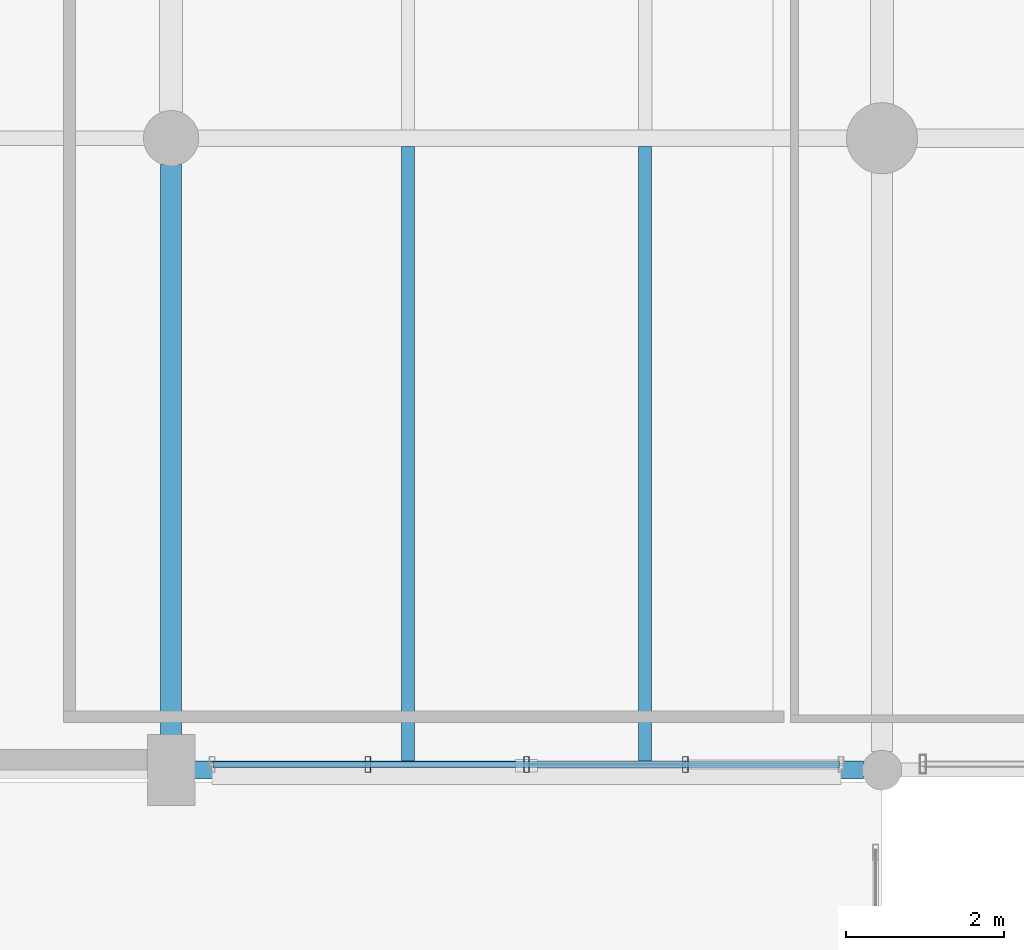
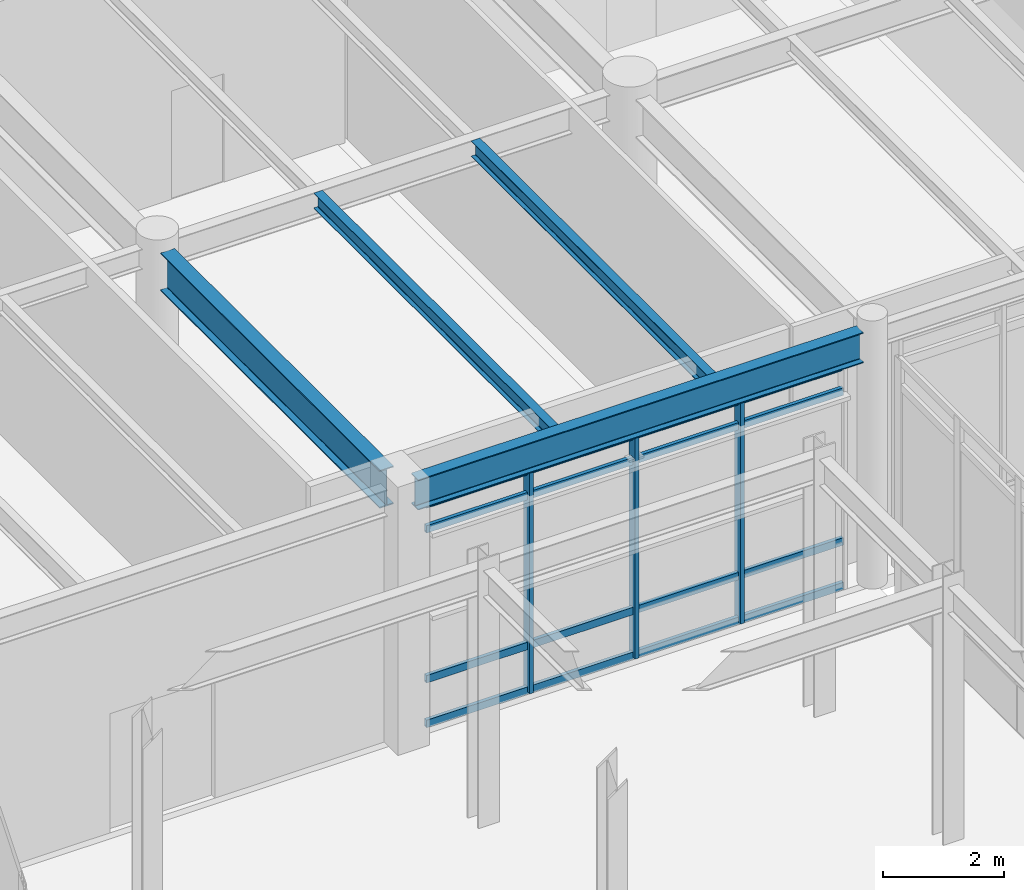
# One storey, part 89 of 203: 7 members, 4 beams, 1 element without a shape of its own.
"""IFC4 building model written with IfcOpenShell, lengths in metres."""

import ifcopenshell
import ifcopenshell.guid

model = None  # the IFC model being written
_history = None  # IfcOwnerHistory: only IFC2X3 demands one
_inside = {}  # id of a spatial element -> (the spatial element, [elements in it])
_under = {}  # id of a project, library or spatial element -> (it, [spatial elements below it])
_declared = {}  # id of a project -> (the project, [libraries it declares])
_typed = {}  # id of a type object -> (the type object, [elements of that type])
_made_of = {}  # id of a material, layer set ... -> (it, [elements and type objects made of it])


def new_model(schema):
    """Start an empty IFC model of exactly this schema.

    Asked for "IFC4X3", IfcOpenShell would pick the latest addendum, in which some entities
    have other attributes; the version numbers below select the first issue.
    IFC2X3 requires an IfcOwnerHistory on every rooted entity: one is made here for all.
    """
    global model, _history
    if schema == "IFC4X3":
        model = ifcopenshell.file(schema_version=(4, 3, 0, 0))
    else:
        model = ifcopenshell.file(schema=schema)
    _inside.clear()
    _under.clear()
    _declared.clear()
    _typed.clear()
    _made_of.clear()
    _history = None
    if model.schema == "IFC2X3":
        org = make("IfcOrganization", Name="unknown")
        user = make(
            "IfcPersonAndOrganization",
            ThePerson=make("IfcPerson", FamilyName="unknown"),
            TheOrganization=org,
        )
        app = make(
            "IfcApplication",
            ApplicationDeveloper=org,
            Version="unknown",
            ApplicationFullName="unknown",
            ApplicationIdentifier="unknown",
        )
        _history = make(
            "IfcOwnerHistory",
            OwningUser=user,
            OwningApplication=app,
            ChangeAction="ADDED",
            CreationDate=0,
        )
    return model


def make(cls, **values):
    """One entity of the class cls with the attributes given. An attribute that is None is left unset."""
    return model.create_entity(
        cls, **{name: value for name, value in values.items() if value is not None}
    )


def rooted(cls, **values):
    """An entity with a GlobalId (a new one), such as an element, a storey or a relation."""
    return make(cls, GlobalId=ifcopenshell.guid.new(), OwnerHistory=_history, **values)


def si_unit(unit_type, name, prefix=None):
    """IfcSIUnit, for example si_unit("LENGTHUNIT", "METRE", prefix="MILLI")."""
    return make("IfcSIUnit", UnitType=unit_type, Prefix=prefix, Name=name)


def assignment(units):
    """IfcUnitAssignment: the units of a project."""
    return None if units is None else make("IfcUnitAssignment", Units=units)


def point(xyz):
    """IfcCartesianPoint."""
    return None if xyz is None else make("IfcCartesianPoint", Coordinates=xyz)


def direction(xyz):
    """IfcDirection."""
    return None if xyz is None else make("IfcDirection", DirectionRatios=xyz)


def frame(location, z_axis=None, x_axis=None):
    """IfcAxis2Placement3D, a coordinate frame: its origin and axes. An axis left out is left unset."""
    return make(
        "IfcAxis2Placement3D",
        Location=point(location),
        Axis=direction(z_axis),
        RefDirection=direction(x_axis),
    )


def frame_2d(location, x_axis=None):
    """IfcAxis2Placement2D, a coordinate frame in the plane: its origin and x axis."""
    return make(
        "IfcAxis2Placement2D", Location=point(location), RefDirection=direction(x_axis)
    )


def origin():
    """The frame at (0, 0, 0) with its axes left unset."""
    return frame((0.0, 0.0, 0.0))


def origin_2d():
    """The frame at (0, 0) in the plane with its x axis left unset."""
    return frame_2d((0.0, 0.0))


def place(relative_to, where):
    """IfcLocalPlacement: puts the frame where relative to a parent placement (None: the world)."""
    return make(
        "IfcLocalPlacement", PlacementRelTo=relative_to, RelativePlacement=where
    )


def context(
    kind, dimensions, precision=None, world=None, true_north=None, identifier=None
):
    """IfcGeometricRepresentationContext, for example the 3D "Model" context."""
    return make(
        "IfcGeometricRepresentationContext",
        ContextIdentifier=identifier,
        ContextType=kind,
        CoordinateSpaceDimension=dimensions,
        Precision=precision,
        WorldCoordinateSystem=world,
        TrueNorth=true_north,
    )


def subcontext(parent, identifier, kind, view, scale=None):
    """IfcGeometricRepresentationSubContext, for example "Body" below "Model"."""
    return make(
        "IfcGeometricRepresentationSubContext",
        ContextIdentifier=identifier,
        ContextType=kind,
        ParentContext=parent,
        TargetScale=scale,
        TargetView=view,
    )


def project(units=None, contexts=None):
    """IfcProject with its units and contexts."""
    return rooted(
        "IfcProject",
        Name="project",
        RepresentationContexts=contexts,
        UnitsInContext=assignment(units),
    )


def spatial(cls, under=None, at=None, **own):
    """A site, building, storey or space (cls), placed at a placement, below another one or the project."""
    s = rooted(cls, ObjectPlacement=at, **own)
    if under is not None:
        _under.setdefault(under.id(), (under, []))[1].append(s)
    return s


def profile(cls, at=None, kind="AREA", **sizes):
    """A parametric profile (cls). Its sizes go by their IFC names, for example OverallWidth=200.0."""
    return make(cls, ProfileType=kind, Position=at, **sizes)


def hollow_rectangle(**sizes):
    """IfcRectangleHollowProfileDef."""
    return profile("IfcRectangleHollowProfileDef", **sizes)


def i_section(**sizes):
    """IfcIShapeProfileDef."""
    return profile("IfcIShapeProfileDef", **sizes)


def extrude(swept, where, along, depth):
    """IfcExtrudedAreaSolid: the profile swept, set in the frame where, extruded along a direction by depth."""
    return make(
        "IfcExtrudedAreaSolid",
        SweptArea=swept,
        Position=where,
        ExtrudedDirection=direction(along),
        Depth=depth,
    )


def shape(context_of_items, identifier, shape_type, items):
    """IfcShapeRepresentation: the items that make up one representation, for example the "Body"."""
    return make(
        "IfcShapeRepresentation",
        ContextOfItems=context_of_items,
        RepresentationIdentifier=identifier,
        RepresentationType=shape_type,
        Items=items,
    )


def material(Name=None, Category=None):
    """IfcMaterial."""
    return make("IfcMaterial", Name=Name, Category=Category)


def material_profile(
    of_material, cross_section, Name=None, Category=None, Priority=None
):
    """IfcMaterialProfile: a cross section and its material."""
    return make(
        "IfcMaterialProfile",
        Name=Name,
        Material=of_material,
        Profile=cross_section,
        Priority=Priority,
        Category=Category,
    )


def profile_set(profiles, Name=None, composite=None):
    """IfcMaterialProfileSet."""
    return make(
        "IfcMaterialProfileSet",
        Name=Name,
        MaterialProfiles=profiles,
        CompositeProfile=composite,
    )


def made_of(thing, what):
    """Note that an element or type object is made of a material, layer set ...; save() writes the relation."""
    if what is not None:
        _made_of.setdefault(what.id(), (what, []))[1].append(thing)
    return thing


def type_object(cls, material=None, **own):
    """A type object (cls), such as IfcWallType, which elements share."""
    return made_of(rooted(cls, **own), material)


def element(
    cls,
    number,
    at=None,
    inside=None,
    cuts=None,
    type_object=None,
    material=None,
    context=None,
    identifier="Body",
    shape_type=None,
    held_by="IfcProductDefinitionShape",
    body=None,
    shapes=None,
    **own,
):
    """One element of the class cls, such as IfcWall. Its Tag is "e" and its number.

    at: its placement. inside: the storey or other place that contains it. cuts: it is an
    opening in that element (IfcRelVoidsElement). A single representation is given by context,
    identifier, shape_type and body (its items); several are given by shapes. held_by: the class
    of the entity that holds the representations. save() writes the other relations.
    """
    e = rooted(cls, Tag="e%d" % number, ObjectPlacement=at, **own)
    if body is not None:
        shapes = [shape(context, identifier, shape_type, body)]
    if shapes is not None:
        e.Representation = make(held_by, Representations=shapes)
    if inside is not None:
        _inside.setdefault(inside.id(), (inside, []))[1].append(e)
    if cuts is not None:
        rooted(
            "IfcRelVoidsElement", RelatingBuildingElement=cuts, RelatedOpeningElement=e
        )
    if type_object is not None:
        _typed.setdefault(type_object.id(), (type_object, []))[1].append(e)
    return made_of(e, material)


def aggregate(whole, parts):
    """IfcRelAggregates: a whole, such as a stair, and the parts it consists of."""
    return rooted("IfcRelAggregates", RelatingObject=whole, RelatedObjects=parts)


def save(model, path):
    """Write the relations noted so far, then the file.

    IfcRelAggregates (storeys below a building ...), IfcRelContainedInSpatialStructure (elements
    in a storey), IfcRelDefinesByType, IfcRelAssociatesMaterial and IfcRelDeclares: one each for
    every whole, place, type object, material and project.
    """
    for whole, parts in _under.values():
        aggregate(whole, parts)
    for where, things in _inside.values():
        rooted(
            "IfcRelContainedInSpatialStructure",
            RelatedElements=things,
            RelatingStructure=where,
        )
    for kind, things in _typed.values():
        rooted("IfcRelDefinesByType", RelatedObjects=things, RelatingType=kind)
    for what, things in _made_of.values():
        rooted("IfcRelAssociatesMaterial", RelatedObjects=things, RelatingMaterial=what)
    for by, libraries in _declared.values():
        rooted("IfcRelDeclares", RelatingContext=by, RelatedDefinitions=libraries)
    model.write(path)


model = new_model("IFC4")

# Units and contexts
model_context = context("Model", 3, precision=1e-05, world=origin(), true_north=direction((0.0, 1.0)))
body_context = subcontext(model_context, "Body", "Model", "MODEL_VIEW")
ifc_project = project(units=[si_unit("LENGTHUNIT", "METRE"), si_unit("AREAUNIT", "SQUARE_METRE"), si_unit("VOLUMEUNIT", "CUBIC_METRE"), si_unit("PLANEANGLEUNIT", "RADIAN"), si_unit("MASSUNIT", "GRAM", prefix="KILO"), si_unit("THERMODYNAMICTEMPERATUREUNIT", "KELVIN"), si_unit("POWERUNIT", "WATT")], contexts=[model_context])

# Site, building, storey
site_placement = place(None, origin())
site = spatial("IfcSite", under=ifc_project, at=site_placement, CompositionType="ELEMENT")
building_placement = place(site_placement, origin())
building = spatial("IfcBuilding", under=site, at=building_placement, Name="Tepalcoro Natatorium and Aquatics Centre", CompositionType="ELEMENT")
storey_placement = place(building_placement, origin())
storey = spatial("IfcBuildingStorey", under=building, at=storey_placement, Name="L00", CompositionType="ELEMENT", Elevation=0.0)

# Beam
ifc_material_1 = material(Name="Steel ASTM A992 Grade 50 (Fy 345 MPa)", Category="steel")
ifc_material_profile_1 = material_profile(ifc_material_1, i_section(OverallWidth=0.26708984375, OverallDepth=0.761962890625, WebThickness=0.013916015625, FlangeThickness=0.02197265625, FilletRadius=0.013916015625, at=origin_2d()), Name="W30X116")
ifc_profile_set_1 = profile_set([ifc_material_profile_1], Name="Steel ASTM A992 Grade 50 (Fy 345 MPa)")
beam_type_1 = type_object("IfcBeamType", Name="BM_W30x116", PredefinedType="BEAM", material=ifc_profile_set_1)
beam_1_placement = place(storey_placement, frame((62.0, 86.43505859375, 4.763916015625), z_axis=(0.0, 1.0, 0.0), x_axis=(-1.0, 0.0, 0.0)))
element("IfcBeam", 1, at=beam_1_placement, inside=storey, type_object=beam_type_1, Name="V4 L00 Grid Girder Y", PredefinedType="BEAM", context=body_context, shape_type="SweptSolid", body=[
    extrude(i_section(OverallWidth=0.26708984375, OverallDepth=0.761962890625, WebThickness=0.013916015625, FlangeThickness=0.02197265625, FilletRadius=0.013916015625, at=origin_2d()), origin(), (0.0, 0.0, 1.0), 7.22998046875),
])

# Curtain wall, members
ifc_material_2 = material(Name="Bronze-Anodised Extruded Aluminium Alloy EN AW-6063 T6", Category="aluminium")
curtain_wall_type = type_object("IfcCurtainWallType", Name="CW_LEAN_T1_EW", PredefinedType="USERDEFINED", material=ifc_material_2)
curtain_wall_placement = place(storey_placement, origin())
curtain_wall = element("IfcCurtainWall", 2, at=curtain_wall_placement, inside=storey, type_object=curtain_wall_type, Name="V4 L00 S Unitised Curtain Wall Bay 7", ObjectType="FACETED SOLAR GLAZING", PredefinedType="USERDEFINED")
ifc_material_profile_2 = material_profile(ifc_material_2, hollow_rectangle(XDim=0.070068359375, YDim=0.199951171875, WallThickness=0.0048828125, at=origin_2d()), Name="AL70X200X5")
ifc_profile_set_2 = profile_set([ifc_material_profile_2], Name="Bronze-Anodised Extruded Aluminium Alloy EN AW-6063 T6")
member_type_1 = type_object("IfcMemberType", Name="CW_MUL_70x200", PredefinedType="MULLION", material=ifc_profile_set_2)
member_1_placement = place(storey_placement, frame((64.489990234375, 86.0712890625, 0.02001953125), z_axis=(0.0, 0.0, 1.0), x_axis=(1.0, 0.0, 0.0)))
member_1 = element("IfcMember", 3, at=member_1_placement, type_object=member_type_1, Name="CW_LEAN_T1_EW Curtain Wall Mullion", PredefinedType="MULLION", context=body_context, shape_type="SweptSolid", body=[
    extrude(hollow_rectangle(XDim=0.070068359375, YDim=0.199951171875, WallThickness=0.0048828125, at=origin_2d()), origin(), (0.0, 0.0, 1.0), 4.47802734375),
])
member_2_placement = place(storey_placement, frame((66.5, 86.0712890625, 0.02001953125), z_axis=(0.0, 0.0, 1.0), x_axis=(1.0, 0.0, 0.0)))
member_2 = element("IfcMember", 4, at=member_2_placement, type_object=member_type_1, Name="CW_LEAN_T1_EW Curtain Wall Mullion", PredefinedType="MULLION", context=body_context, shape_type="SweptSolid", body=[
    extrude(hollow_rectangle(XDim=0.070068359375, YDim=0.199951171875, WallThickness=0.0048828125, at=origin_2d()), origin(), (0.0, 0.0, 1.0), 4.47802734375),
])
member_3_placement = place(storey_placement, frame((68.510009765625, 86.0712890625, 0.02001953125), z_axis=(0.0, 0.0, 1.0), x_axis=(1.0, 0.0, 0.0)))
member_3 = element("IfcMember", 5, at=member_3_placement, type_object=member_type_1, Name="CW_LEAN_T1_EW Curtain Wall Mullion", PredefinedType="MULLION", context=body_context, shape_type="SweptSolid", body=[
    extrude(hollow_rectangle(XDim=0.070068359375, YDim=0.199951171875, WallThickness=0.0048828125, at=origin_2d()), origin(), (0.0, 0.0, 1.0), 4.47802734375),
])
ifc_material_profile_3 = material_profile(ifc_material_2, hollow_rectangle(XDim=0.070068359375, YDim=0.14990234375, WallThickness=0.00390625, at=origin_2d()), Name="AL70X150X4")
ifc_profile_set_3 = profile_set([ifc_material_profile_3], Name="Bronze-Anodised Extruded Aluminium Alloy EN AW-6063 T6")
member_type_2 = type_object("IfcMemberType", Name="CW_TRN_70x150", PredefinedType="USERDEFINED", material=ifc_profile_set_3)
member_4_placement = place(storey_placement, frame((62.530029296875, 86.0712890625, 0.050048828125), z_axis=(1.0, 0.0, 0.0), x_axis=(0.0, 1.0, 0.0)))
member_4 = element("IfcMember", 6, at=member_4_placement, type_object=member_type_2, Name="CW_LEAN_T1_EW Curtain Wall Transom", ObjectType="TRANSOM", PredefinedType="USERDEFINED", context=body_context, shape_type="SweptSolid", body=[
    extrude(hollow_rectangle(XDim=0.070068359375, YDim=0.14990234375, WallThickness=0.00390625, at=origin_2d()), origin(), (0.0, 0.0, 1.0), 7.93994140625),
])
member_5_placement = place(storey_placement, frame((62.530029296875, 86.0712890625, 0.949951171875), z_axis=(1.0, 0.0, 0.0), x_axis=(0.0, 1.0, 0.0)))
member_5 = element("IfcMember", 7, at=member_5_placement, type_object=member_type_2, Name="CW_LEAN_T1_EW Curtain Wall Transom", ObjectType="TRANSOM", PredefinedType="USERDEFINED", context=body_context, shape_type="SweptSolid", body=[
    extrude(hollow_rectangle(XDim=0.070068359375, YDim=0.14990234375, WallThickness=0.00390625, at=origin_2d()), origin(), (0.0, 0.0, 1.0), 7.93994140625),
])
member_6_placement = place(storey_placement, frame((62.530029296875, 86.0712890625, 3.968017578125), z_axis=(1.0, 0.0, 0.0), x_axis=(0.0, 1.0, 0.0)))
member_6 = element("IfcMember", 8, at=member_6_placement, type_object=member_type_2, Name="CW_LEAN_T1_EW Curtain Wall Transom", ObjectType="TRANSOM", PredefinedType="USERDEFINED", context=body_context, shape_type="SweptSolid", body=[
    extrude(hollow_rectangle(XDim=0.070068359375, YDim=0.14990234375, WallThickness=0.00390625, at=origin_2d()), origin(), (0.0, 0.0, 1.0), 7.93994140625),
])
member_7_placement = place(storey_placement, frame((62.530029296875, 86.0712890625, 4.468017578125), z_axis=(1.0, 0.0, 0.0), x_axis=(0.0, 1.0, 0.0)))
member_7 = element("IfcMember", 9, at=member_7_placement, type_object=member_type_2, Name="CW_LEAN_T1_EW Curtain Wall Transom", ObjectType="TRANSOM", PredefinedType="USERDEFINED", context=body_context, shape_type="SweptSolid", body=[
    extrude(hollow_rectangle(XDim=0.070068359375, YDim=0.14990234375, WallThickness=0.00390625, at=origin_2d()), origin(), (0.0, 0.0, 1.0), 7.93994140625),
])
aggregate(curtain_wall, [member_1, member_2, member_3, member_4, member_5, member_6, member_7])

# Beams
ifc_material_profile_4 = material_profile(ifc_material_1, i_section(OverallWidth=0.1650390625, OverallDepth=0.31005859375, WebThickness=0.006103515625, FlangeThickness=0.010009765625, FilletRadius=0.013916015625, at=origin_2d()), Name="W12X26")
ifc_profile_set_4 = profile_set([ifc_material_profile_4], Name="Steel ASTM A992 Grade 50 (Fy 345 MPa)")
beam_type_2 = type_object("IfcBeamType", Name="JS_W12x26", PredefinedType="JOIST", material=ifc_profile_set_4)
beam_2_placement = place(storey_placement, frame((65.0, 86.114501953125, 4.989990234375), z_axis=(0.0, 1.0, 0.0), x_axis=(-1.0, 0.0, 0.0)))
element("IfcBeam", 10, at=beam_2_placement, inside=storey, type_object=beam_type_2, Name="V4 L00 Floor Joist", PredefinedType="JOIST", context=body_context, shape_type="SweptSolid", body=[
    extrude(i_section(OverallWidth=0.1650390625, OverallDepth=0.31005859375, WebThickness=0.006103515625, FlangeThickness=0.010009765625, FilletRadius=0.013916015625, at=origin_2d()), origin(), (0.0, 0.0, 1.0), 7.780517578125),
])
ifc_material_profile_5 = material_profile(ifc_material_1, i_section(OverallWidth=0.1669921875, OverallDepth=0.318115234375, WebThickness=0.008056640625, FlangeThickness=0.012939453125, FilletRadius=0.013916015625, at=origin_2d()), Name="W12X35")
ifc_profile_set_5 = profile_set([ifc_material_profile_5], Name="Steel ASTM A992 Grade 50 (Fy 345 MPa)")
beam_type_3 = type_object("IfcBeamType", Name="JS_W12x35", PredefinedType="JOIST", material=ifc_profile_set_5)
beam_3_placement = place(storey_placement, frame((68.0, 86.114501953125, 4.986083984375), z_axis=(0.0, 1.0, 0.0), x_axis=(-1.0, 0.0, 0.0)))
element("IfcBeam", 11, at=beam_3_placement, inside=storey, type_object=beam_type_3, Name="V4 L00 Floor Joist", PredefinedType="JOIST", context=body_context, shape_type="SweptSolid", body=[
    extrude(i_section(OverallWidth=0.1669921875, OverallDepth=0.318115234375, WebThickness=0.008056640625, FlangeThickness=0.012939453125, FilletRadius=0.013916015625, at=origin_2d()), origin(), (0.0, 0.0, 1.0), 7.780517578125),
])
ifc_material_profile_6 = material_profile(ifc_material_1, i_section(OverallWidth=0.22900390625, OverallDepth=0.612060546875, WebThickness=0.011962890625, FlangeThickness=0.02001953125, FilletRadius=0.013916015625, at=origin_2d()), Name="W24X84")
ifc_profile_set_6 = profile_set([ifc_material_profile_6], Name="Steel ASTM A992 Grade 50 (Fy 345 MPa)")
beam_type_4 = type_object("IfcBeamType", Name="SP_W24x84", PredefinedType="SPANDREL", material=ifc_profile_set_6)
beam_4_placement = place(storey_placement, frame((62.284912109375, 86.0, 4.839111328125), z_axis=(1.0, 0.0, 0.0), x_axis=(0.0, 1.0, 0.0)))
element("IfcBeam", 12, at=beam_4_placement, inside=storey, type_object=beam_type_4, Name="V4 L00 Grid Girder X", PredefinedType="SPANDREL", context=body_context, shape_type="SweptSolid", body=[
    extrude(i_section(OverallWidth=0.22900390625, OverallDepth=0.612060546875, WebThickness=0.011962890625, FlangeThickness=0.02001953125, FilletRadius=0.013916015625, at=origin_2d()), origin(), (0.0, 0.0, 1.0), 8.47998046875),
])

save(model, "model.ifc")
